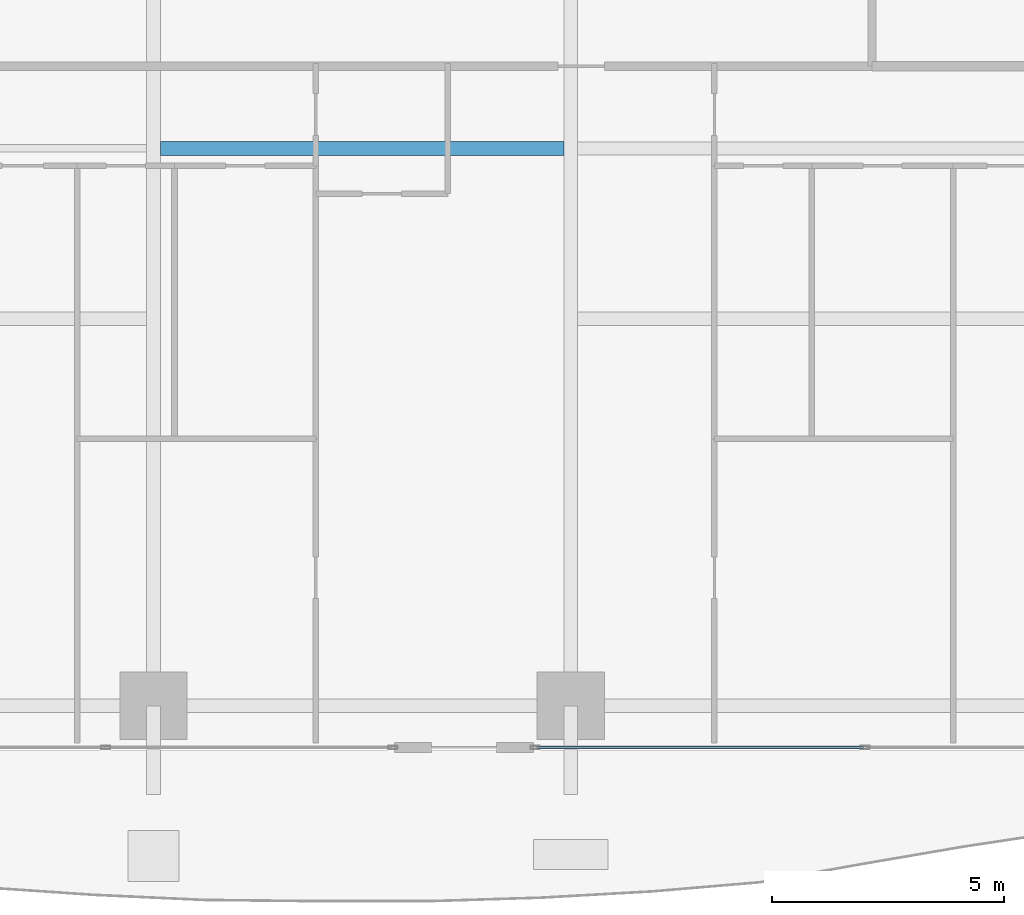
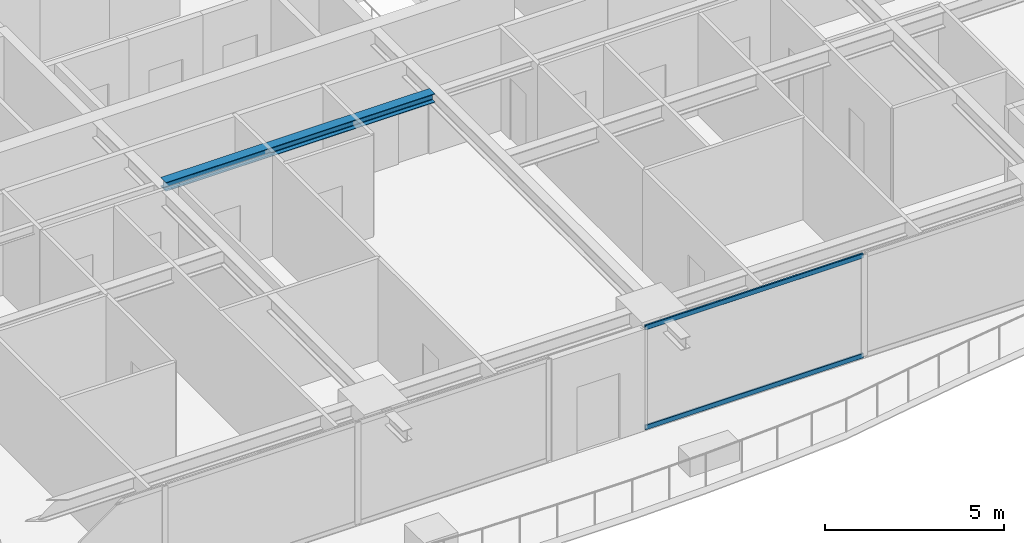
# One storey, part 10 of 39: 2 members, 1 beam, 1 element without a shape of its own.
"""IFC4 building model written with IfcOpenShell, lengths in metres."""

from ifc_helpers import new_model, si_unit, direction, frame, origin, origin_2d, place, context, subcontext, project, spatial, hollow_rectangle, i_section, extrude, source, transform, mapped, material, layer, layer_set, material_profile, profile_set, type_object, element, aggregate, save


model = new_model("IFC4")

# Units and contexts
model_context = context("Model", 3, precision=1e-05, world=origin(), true_north=direction((0.0, 1.0)))
body_context = subcontext(model_context, "Body", "Model", "MODEL_VIEW")
ifc_project = project(units=[si_unit("LENGTHUNIT", "METRE"), si_unit("AREAUNIT", "SQUARE_METRE"), si_unit("VOLUMEUNIT", "CUBIC_METRE"), si_unit("PLANEANGLEUNIT", "RADIAN"), si_unit("MASSUNIT", "GRAM", prefix="KILO")], contexts=[model_context])

# Site, building, storey
site_placement = place(None, origin())
site = spatial("IfcSite", under=ifc_project, at=site_placement, CompositionType="ELEMENT")
building_placement = place(site_placement, origin())
building = spatial("IfcBuilding", under=site, at=building_placement, Name="Serunith Strait Residences", CompositionType="ELEMENT")
storey_placement = place(building_placement, frame((0.0, 0.0, 49.199951171875)))
storey = spatial("IfcBuildingStorey", under=building, at=storey_placement, Name="L11", CompositionType="ELEMENT", Elevation=49.199951171875)

# Beam
ifc_material_1 = material(Name="Steel S355J2", Category="steel")
ifc_material_profile_1 = material_profile(ifc_material_1, i_section(OverallWidth=0.300048828125, OverallDepth=0.300048828125, WebThickness=0.010986328125, FlangeThickness=0.01904296875, FilletRadius=0.027099609375, at=origin_2d()), Name="HEB 300")
ifc_profile_set_1 = profile_set([ifc_material_profile_1], Name="Steel S355J2")
beam_type = type_object("IfcBeamType", Name="BM-HEB300", PredefinedType="JOIST", material=ifc_profile_set_1)
shared_shape_1 = source(origin(), body_context, "Body", "SweptSolid", [
    extrude(i_section(OverallWidth=0.300048828125, OverallDepth=0.300048828125, WebThickness=0.010986328125, FlangeThickness=0.01904296875, FilletRadius=0.027099609375, at=origin_2d()), origin(), (0.0, 0.0, 1.0), 8.699951171875),
])
beam_placement = place(storey_placement, frame((28.050048828125, 13.125, 3.337158203125), z_axis=(1.0, 0.0, 0.0), x_axis=(0.0, 1.0, 0.0)))
element("IfcBeam", 1, at=beam_placement, inside=storey, type_object=beam_type, Name="L11 Composite Floor Joist 02", PredefinedType="JOIST", context=body_context, shape_type="MappedRepresentation", body=[
    mapped(shared_shape_1, transform((0.0, 0.0, 0.0), scale=1.0)),
])

# Curtain wall, members
ifc_material_2 = material(Name="Pale-Champagne Anodised Aluminium", Category="aluminium")
ifc_layer = layer(ifc_material_2, 0.199951171875, Name="Pale-Champagne Anodised Aluminium")
ifc_layer_set = layer_set([ifc_layer], Name="Pale-Champagne Anodised Aluminium")
curtain_wall_type = type_object("IfcCurtainWallType", Name="CW-SYS1", PredefinedType="NOTDEFINED", material=ifc_layer_set)
curtain_wall_placement = place(storey_placement, origin())
curtain_wall = element("IfcCurtainWall", 2, at=curtain_wall_placement, inside=storey, type_object=curtain_wall_type, Name="L11 S Unitised Fritted Curtain Wall", PredefinedType="NOTDEFINED")
ifc_material_profile_2 = material_profile(ifc_material_2, hollow_rectangle(XDim=0.06005859375, YDim=0.159912109375, WallThickness=0.00341796875, InnerFilletRadius=0.00537109375, OuterFilletRadius=0.0087890625, at=origin_2d()), Name="ALU 160x60x3.5")
ifc_profile_set_2 = profile_set([ifc_material_profile_2], Name="Pale-Champagne Anodised Aluminium")
member_type = type_object("IfcMemberType", Name="CW-SYS1-TRAN", PredefinedType="USERDEFINED", material=ifc_profile_set_2)
shared_shape_2 = source(origin(), body_context, "Body", "SweptSolid", [
    extrude(hollow_rectangle(XDim=0.06005859375, YDim=0.159912109375, WallThickness=0.00341796875, InnerFilletRadius=0.00537109375, OuterFilletRadius=0.0087890625, at=origin_2d()), origin(), (0.0, 0.0, 1.0), 7.045166015625),
])
member_1_placement = place(storey_placement, frame((36.169921875, 0.199951171875, 0.030029296875), z_axis=(1.0, 0.0, 0.0), x_axis=(0.0, 1.0, 0.0)))
member_1 = element("IfcMember", 3, at=member_1_placement, type_object=member_type, Name="CW-1 transom 1.1", ObjectType="TRANSOM", PredefinedType="USERDEFINED", context=body_context, shape_type="MappedRepresentation", body=[
    mapped(shared_shape_2, transform((0.0, 0.0, 0.0), scale=1.0)),
])
member_2_placement = place(storey_placement, frame((36.169921875, 0.199951171875, 3.445068359375), z_axis=(1.0, 0.0, 0.0), x_axis=(0.0, 1.0, 0.0)))
member_2 = element("IfcMember", 4, at=member_2_placement, type_object=member_type, Name="CW-1 transom 1.2", ObjectType="TRANSOM", PredefinedType="USERDEFINED", context=body_context, shape_type="MappedRepresentation", body=[
    mapped(shared_shape_2, transform((0.0, 0.0, 0.0), scale=1.0)),
])
aggregate(curtain_wall, [member_1, member_2])

save(model, "model.ifc")
